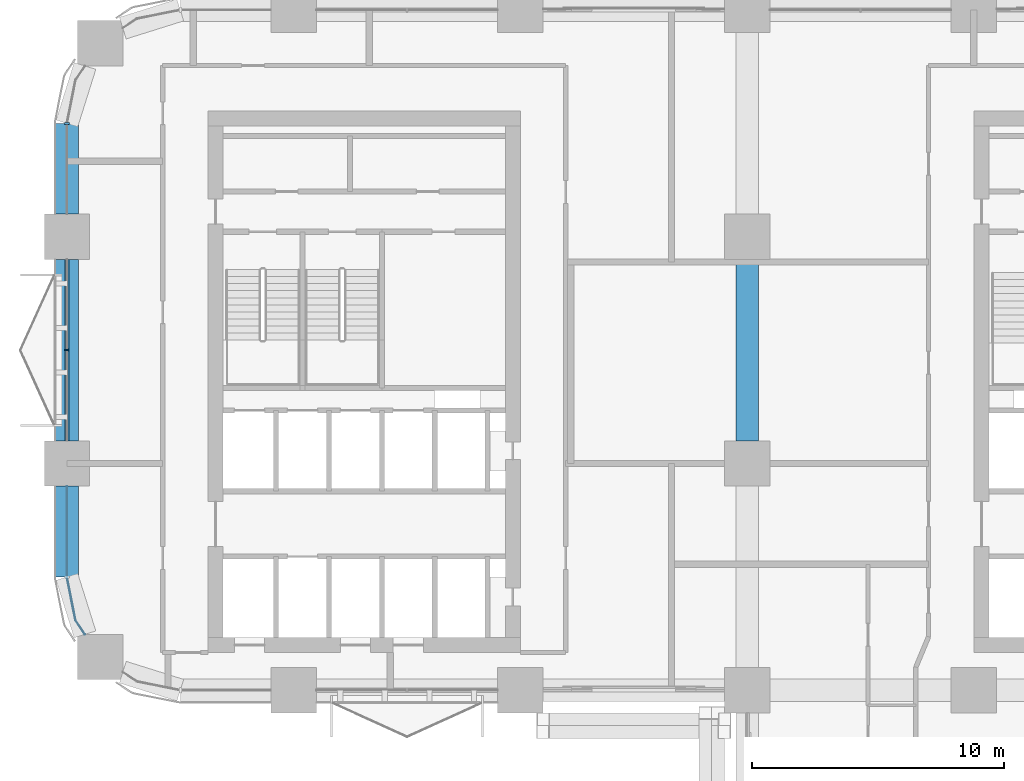
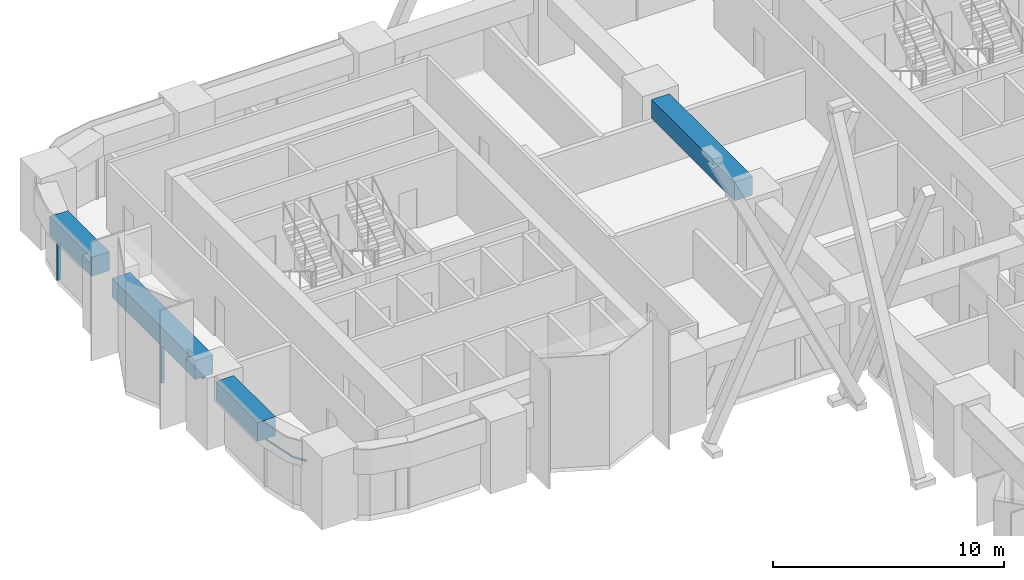
# One storey, part 6 of 19: 4 beams, 4 members, 3 elements without a shape of their own.
"""IFC4 building model written with IfcOpenShell, lengths in metres."""

from ifc_helpers import new_model, si_unit, direction, frame, origin, origin_2d, place, context, subcontext, project, spatial, polyline, rectangle, outline, extrude, material, material_profile, profile_set, type_object, element, aggregate, save


model = new_model("IFC4")

# Units and contexts
model_context = context("Model", 3, precision=1e-05, world=origin(), true_north=direction((0.0, 1.0)))
body_context = subcontext(model_context, "Body", "Model", "MODEL_VIEW")
ifc_project = project(units=[si_unit("LENGTHUNIT", "METRE"), si_unit("AREAUNIT", "SQUARE_METRE"), si_unit("VOLUMEUNIT", "CUBIC_METRE"), si_unit("PLANEANGLEUNIT", "RADIAN"), si_unit("MASSUNIT", "GRAM", prefix="KILO")], contexts=[model_context])

# Site, building, storey
site_placement = place(None, origin())
site = spatial("IfcSite", under=ifc_project, at=site_placement, CompositionType="ELEMENT")
building_placement = place(site_placement, origin())
building = spatial("IfcBuilding", under=site, at=building_placement, Name="Tessera Arch", CompositionType="ELEMENT")
storey_placement = place(building_placement, frame((0.0, 0.0, 108.199951171875)))
storey = spatial("IfcBuildingStorey", under=building, at=storey_placement, Name="L25", CompositionType="ELEMENT", Elevation=108.199951171875)

# Curtain wall, members
ifc_material_1 = material(Name="CW1 curtain wall")
curtain_wall_type_1 = type_object("IfcCurtainWallType", Name="CW1 curtain wall", PredefinedType="NOTDEFINED", material=ifc_material_1)
curtain_wall_1_placement = place(storey_placement, origin())
curtain_wall_1 = element("IfcCurtainWall", 1, at=curtain_wall_1_placement, inside=storey, type_object=curtain_wall_type_1, Name="CW1 curtain wall W0.27/1 L25", PredefinedType="NOTDEFINED")
ifc_material_2 = material(Name="Anodised aluminium pale metal", Category="aluminium")
ifc_material_profile_1 = material_profile(ifc_material_2, rectangle(XDim=0.159912109375, YDim=0.06005859375, at=origin_2d()), Name="AL 60x160")
ifc_profile_set_1 = profile_set([ifc_material_profile_1], Name="Anodised aluminium pale metal")
member_type_1 = type_object("IfcMemberType", Name="CW1 mullion", PredefinedType="MULLION", material=ifc_profile_set_1)
member_1_placement = place(storey_placement, frame((0.0, 40.5, 0.0), z_axis=(0.0, 0.0, 1.0), x_axis=(1.0, 0.0, 0.0)))
member_1 = element("IfcMember", 2, at=member_1_placement, type_object=member_type_1, Name="CW1 mullion W0.27/1 1", PredefinedType="MULLION", context=body_context, shape_type="SweptSolid", body=[
    extrude(rectangle(XDim=0.159912109375, YDim=0.06005859375, at=origin_2d()), origin(), (0.0, 0.0, 1.0), 2.400146484375),
])
ifc_material_3 = material(Name="Anodised aluminium pale metal", Category="aluminium")
ifc_material_profile_2 = material_profile(ifc_material_3, rectangle(XDim=0.159912109375, YDim=0.10009765625, at=origin_2d()), Name="AL 160x100")
ifc_profile_set_2 = profile_set([ifc_material_profile_2], Name="Anodised aluminium pale metal")
member_type_2 = type_object("IfcMemberType", Name="CW1 transom", PredefinedType="USERDEFINED", material=ifc_profile_set_2)
member_2_placement = place(storey_placement, frame((0.0, 44.10009765625, 2.449951171875), z_axis=(0.0, -1.0, 0.0), x_axis=(1.0, 0.0, 0.0)))
member_2 = element("IfcMember", 3, at=member_2_placement, type_object=member_type_2, Name="CW1 transom W0.27/1 1.1", ObjectType="TRANSOM", PredefinedType="USERDEFINED", context=body_context, shape_type="SweptSolid", body=[
    extrude(rectangle(XDim=0.159912109375, YDim=0.10009765625, at=origin_2d()), origin(), (0.0, 0.0, 1.0), 7.2001953125),
])
aggregate(curtain_wall_1, [member_1, member_2])

# Curtain wall, member
ifc_material_4 = material(Name="CW2 curtain wall")
curtain_wall_type_2 = type_object("IfcCurtainWallType", Name="CW2 curtain wall", PredefinedType="NOTDEFINED", material=ifc_material_4)
curtain_wall_2_placement = place(storey_placement, origin())
curtain_wall_2 = element("IfcCurtainWall", 4, at=curtain_wall_2_placement, inside=storey, type_object=curtain_wall_type_2, Name="CW2 curtain wall W0.27/0 L25", PredefinedType="NOTDEFINED")
ifc_material_5 = material(Name="Anodised aluminium pale metal", Category="aluminium")
ifc_material_profile_3 = material_profile(ifc_material_5, rectangle(XDim=0.199951171875, YDim=0.080078125, at=origin_2d()), Name="AL 80x200")
ifc_profile_set_3 = profile_set([ifc_material_profile_3], Name="Anodised aluminium pale metal")
member_type_3 = type_object("IfcMemberType", Name="CW2 mullion", PredefinedType="MULLION", material=ifc_profile_set_3)
member_3_placement = place(storey_placement, frame((0.0, 49.5, 0.0), z_axis=(0.0, 0.0, 1.0), x_axis=(1.0, 0.0, 0.0)))
member_3 = element("IfcMember", 5, at=member_3_placement, type_object=member_type_3, Name="CW2 mullion W0.27/0 1", PredefinedType="MULLION", context=body_context, shape_type="SweptSolid", body=[
    extrude(rectangle(XDim=0.199951171875, YDim=0.080078125, at=origin_2d()), origin(), (0.0, 0.0, 1.0), 2.400146484375),
])
aggregate(curtain_wall_2, [member_3])

curtain_wall_3_placement = place(storey_placement, origin())
curtain_wall_3 = element("IfcCurtainWall", 6, at=curtain_wall_3_placement, inside=storey, type_object=curtain_wall_type_2, Name="CW2 curtain wall W0.27/2 L25", PredefinedType="NOTDEFINED")
ifc_material_6 = material(Name="Anodised aluminium pale metal", Category="aluminium")
ifc_material_profile_4 = material_profile(ifc_material_6, rectangle(XDim=0.199951171875, YDim=0.10009765625, at=origin_2d()), Name="AL 200x100")
ifc_profile_set_4 = profile_set([ifc_material_profile_4], Name="Anodised aluminium pale metal")
member_type_4 = type_object("IfcMemberType", Name="CW2 transom", PredefinedType="USERDEFINED", material=ifc_profile_set_4)
member_4_placement = place(storey_placement, frame((0.0, 0.0, 2.400146484375)))
member_4 = element("IfcMember", 7, at=member_4_placement, type_object=member_type_4, Name="CW2 transom W0.27/2 1", ObjectType="TRANSOM", PredefinedType="USERDEFINED", context=body_context, shape_type="SweptSolid", body=[
    extrude(outline(polyline([(0.010009765625, 31.5009765625), (0.010009765625, 35.10009765625), (-0.010009765625, 35.10009765625), (-0.010009765625, 31.4990234375), (0.3330078125, 29.77392578125), (0.70849609375, 29.21240234375), (0.72509765625, 29.2236328125), (0.351806640625, 29.78173828125), (0.010009765625, 31.5009765625)])), origin(), (0.0, 0.0, 1.0), 0.099853515625),
])
aggregate(curtain_wall_3, [member_4])

# Beams
ifc_material_7 = material(Name="Concrete C80/95", Category="concrete")
ifc_material_profile_5 = material_profile(ifc_material_7, rectangle(XDim=0.89990234375, YDim=1.0, at=origin_2d()), Name="RC spandrel beam 900 x 1000 Concrete C80/95")
ifc_profile_set_5 = profile_set([ifc_material_profile_5], Name="Concrete C80/95")
beam_type = type_object("IfcBeamType", Name="RC spandrel beam 900 x 1000 Concrete C80/95", PredefinedType="BEAM", material=ifc_profile_set_5)
beam_1_placement = place(storey_placement, frame((0.0, 49.5, 3.0), z_axis=(0.0, -1.0, 0.0), x_axis=(1.0, 0.0, 0.0)))
element("IfcBeam", 8, at=beam_1_placement, inside=storey, type_object=beam_type, Name="Spandrel beam L25 W0.27/0.2", PredefinedType="BEAM", context=body_context, shape_type="SweptSolid", body=[
    extrude(rectangle(XDim=0.89990234375, YDim=1.0, at=origin_2d()), origin(), (0.0, 0.0, 1.0), 3.60009765625),
])
beam_2_placement = place(storey_placement, frame((0.0, 44.10009765625, 3.0), z_axis=(0.0, -1.0, 0.0), x_axis=(1.0, 0.0, 0.0)))
element("IfcBeam", 9, at=beam_2_placement, inside=storey, type_object=beam_type, Name="Spandrel beam L25 W0.27/1", PredefinedType="BEAM", context=body_context, shape_type="SweptSolid", body=[
    extrude(rectangle(XDim=0.89990234375, YDim=1.0, at=origin_2d()), origin(), (0.0, 0.0, 1.0), 7.2001953125),
])
beam_3_placement = place(storey_placement, frame((0.0, 35.10009765625, 3.0), z_axis=(0.0, -1.0, 0.0), x_axis=(1.0, 0.0, 0.0)))
element("IfcBeam", 10, at=beam_3_placement, inside=storey, type_object=beam_type, Name="Spandrel beam L25 W0.27/2.1", PredefinedType="BEAM", context=body_context, shape_type="SweptSolid", body=[
    extrude(rectangle(XDim=0.89990234375, YDim=1.0, at=origin_2d()), origin(), (0.0, 0.0, 1.0), 3.60009765625),
])
beam_4_placement = place(storey_placement, frame((27.0, 36.89990234375, 3.0), z_axis=(0.0, 1.0, 0.0), x_axis=(-1.0, 0.0, 0.0)))
element("IfcBeam", 11, at=beam_4_placement, inside=storey, type_object=beam_type, Name="Interface beam L25 I0C4E-C4F", PredefinedType="BEAM", context=body_context, shape_type="SweptSolid", body=[
    extrude(rectangle(XDim=0.89990234375, YDim=1.0, at=origin_2d()), origin(), (0.0, 0.0, 1.0), 7.2001953125),
])

save(model, "model.ifc")
